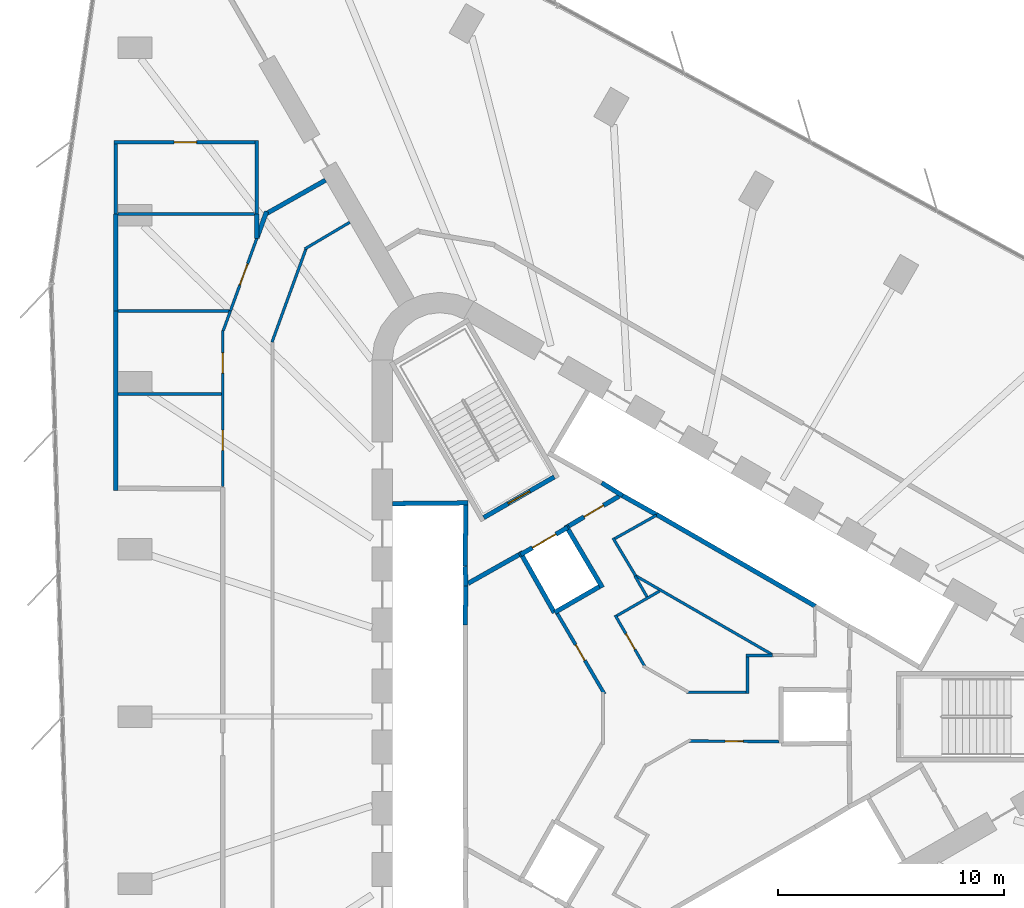
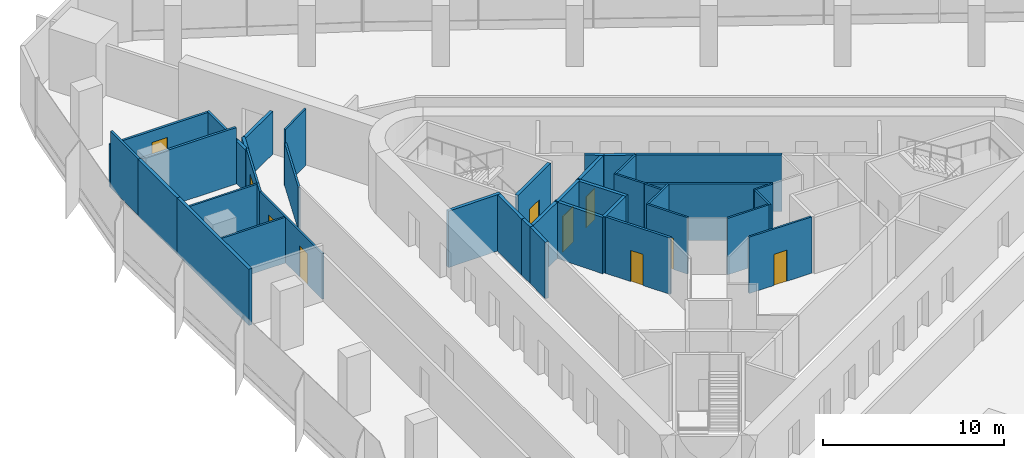
# One storey, part 10 of 14: 41 walls, 10 doors, 10 openings.
"""IFC4 building model written with IfcOpenShell, lengths in metres."""

from ifc_helpers import new_model, si_unit, direction, frame, frame_2d, origin, place, context, subcontext, project, spatial, rectangle, extrude, material, layer, layer_set, type_object, element, fill, save


model = new_model("IFC4")

# Units and contexts
model_context = context("Model", 3, precision=1e-05, world=origin(), true_north=direction((0.0, 1.0)))
body_context = subcontext(model_context, "Body", "Model", "MODEL_VIEW")
ifc_project = project(units=[si_unit("LENGTHUNIT", "METRE"), si_unit("AREAUNIT", "SQUARE_METRE"), si_unit("VOLUMEUNIT", "CUBIC_METRE"), si_unit("PLANEANGLEUNIT", "RADIAN"), si_unit("MASSUNIT", "GRAM", prefix="KILO")], contexts=[model_context])

# Site, building, storey
site_placement = place(None, origin())
site = spatial("IfcSite", under=ifc_project, at=site_placement, CompositionType="ELEMENT")
building_placement = place(site_placement, origin())
building = spatial("IfcBuilding", under=site, at=building_placement, Name="Tanit Gate Tower", CompositionType="ELEMENT")
storey_placement = place(building_placement, frame((0.0, 0.0, 143.89990234375)))
storey = spatial("IfcBuildingStorey", under=building, at=storey_placement, Name="L31", CompositionType="ELEMENT", Elevation=143.89990234375)

# Wall
ifc_material_1 = material(Name="Fire-rated gypsum board partition")
ifc_layer_1 = layer(ifc_material_1, 0.199951171875)
ifc_layer_set_1 = layer_set([ifc_layer_1], Name="INT-WALL-COMPARTMENT")
wall_type_1 = type_object("IfcWallType", Name="INT-WALL-COMPARTMENT", PredefinedType="PARTITIONING", material=ifc_layer_set_1)
wall_1_placement = place(storey_placement, frame((-5.600341796875, 7.16015625, 0.0), z_axis=(0.0, 0.0, 1.0), x_axis=(-0.871340486379, -0.490678873396, 0.0)))
element("IfcWall", 1, at=wall_1_placement, inside=storey, type_object=wall_type_1, Name="Wall Compartment W061", PredefinedType="PARTITIONING", context=body_context, shape_type="SweptSolid", body=[
    extrude(rectangle(XDim=2.580810546875, YDim=0.199951171875, at=frame_2d((1.29052734375, 0.0))), origin(), (0.0, 0.0, 1.0), 3.800048828125),
])

# Wall, opening, door
wall_2_placement = place(storey_placement, frame((-1.179443359375, 9.74462890625, 0.0), z_axis=(0.0, 0.0, 1.0), x_axis=(-0.860598681535, -0.509283721849, 0.0)))
wall_2 = element("IfcWall", 2, at=wall_2_placement, inside=storey, type_object=wall_type_1, Name="Wall Compartment W062", PredefinedType="PARTITIONING", context=body_context, shape_type="SweptSolid", body=[
    extrude(rectangle(XDim=2.5810546875, YDim=0.199951171875, at=frame_2d((1.29052734375, 0.0))), origin(), (0.0, 0.0, 1.0), 3.800048828125),
])
opening_1_placement = place(wall_2_placement, frame((0.79052734375, 0.0, 0.0)))
opening_1 = element("IfcOpeningElement", 3, at=opening_1_placement, cuts=wall_2, Name="Opening F10-S08-05", PredefinedType="OPENING", context=body_context, shape_type="SweptSolid", body=[
    extrude(rectangle(XDim=1.0, YDim=2.10009765625, at=frame_2d((0.5, 1.050048828125))), frame((0.0, 0.10986328125, 0.0), z_axis=(0.0, -1.0, 0.0), x_axis=(1.0, 0.0, 0.0)), (0.0, 0.0, 1.0), 0.219970703125),
])
ifc_material_2 = material(Name="Fire-rated steel door leaf", Category="steel")
door_type_1 = type_object("IfcDoorType", Name="INT-DOOR-FIRE-1000", OperationType="NOTDEFINED", PredefinedType="USERDEFINED", material=ifc_material_2)
door_1_placement = place(opening_1_placement, origin())
door_1 = element("IfcDoor", 4, at=door_1_placement, inside=storey, type_object=door_type_1, Name="Door F10-S08-05", ObjectType="FIRE DOOR", OperationType="SINGLE_SWING_LEFT", OverallHeight=2.10009765625, OverallWidth=1.0, PredefinedType="USERDEFINED", context=body_context, shape_type="SweptSolid", body=[
    extrude(rectangle(XDim=1.0, YDim=2.10009765625, at=frame_2d((0.5, 1.050048828125))), frame((0.0, 0.02490234375, 0.0), z_axis=(0.0, -1.0, 0.0), x_axis=(1.0, 0.0, 0.0)), (0.0, 0.0, 1.0), 0.050048828125),
])
fill(opening_1, door_1)

# Walls
wall_3_placement = place(storey_placement, frame((-16.760498046875, 22.333251953125, 0.0), z_axis=(0.0, 0.0, 1.0), x_axis=(-0.342041387985, -0.93968488809, 0.0)))
element("IfcWall", 5, at=wall_3_placement, inside=storey, type_object=wall_type_1, Name="Wall Compartment W095", PredefinedType="PARTITIONING", context=body_context, shape_type="SweptSolid", body=[
    extrude(rectangle(XDim=1.248291015625, YDim=0.199951171875, at=frame_2d((0.6240234375, 0.0))), origin(), (0.0, 0.0, 1.0), 2.880126953125),
])
wall_4_placement = place(storey_placement, frame((-14.15625, 23.719482421875, 0.0), z_axis=(0.0, 0.0, 1.0), x_axis=(-0.870320915518, -0.492485029226, 0.0)))
element("IfcWall", 6, at=wall_4_placement, inside=storey, type_object=wall_type_1, Name="Wall Compartment W096", PredefinedType="PARTITIONING", context=body_context, shape_type="SweptSolid", body=[
    extrude(rectangle(XDim=2.98974609375, YDim=0.199951171875, at=frame_2d((1.494873046875, 0.0))), origin(), (0.0, 0.0, 1.0), 2.880126953125),
])
wall_5_placement = place(storey_placement, frame((-23.429931640625, 10.0, 0.0), z_axis=(0.0, 0.0, 1.0), x_axis=(0.0, 1.0, 0.0)))
element("IfcWall", 7, at=wall_5_placement, inside=storey, type_object=wall_type_1, Name="Wall Compartment W120", PredefinedType="PARTITIONING", context=body_context, shape_type="SweptSolid", body=[
    extrude(rectangle(XDim=7.931884765625, YDim=0.199951171875, at=frame_2d((3.9658203125, 0.0))), origin(), (0.0, 0.0, 1.0), 3.800048828125),
])
wall_6_placement = place(storey_placement, frame((-23.429931640625, 17.931884765625, 0.0), z_axis=(0.0, 0.0, 1.0), x_axis=(0.0, 1.0, 0.0)))
element("IfcWall", 8, at=wall_6_placement, inside=storey, type_object=wall_type_1, Name="Wall Compartment W123", PredefinedType="PARTITIONING", context=body_context, shape_type="SweptSolid", body=[
    extrude(rectangle(XDim=4.28466796875, YDim=0.199951171875, at=frame_2d((2.142333984375, 0.0))), origin(), (0.0, 0.0, 1.0), 3.800048828125),
])
wall_7_placement = place(storey_placement, frame((-17.199951171875, 21.141357421875, 0.0), z_axis=(0.0, 0.0, 1.0), x_axis=(0.0, 1.0, 0.0)))
element("IfcWall", 9, at=wall_7_placement, inside=storey, type_object=wall_type_1, Name="Wall Compartment W124", PredefinedType="PARTITIONING", context=body_context, shape_type="SweptSolid", body=[
    extrude(rectangle(XDim=1.0751953125, YDim=0.199951171875, at=frame_2d((0.53759765625, 0.0))), origin(), (0.0, 0.0, 1.0), 2.880126953125),
])

# Wall, opening, door
ifc_material_3 = material(Name="Gypsum board partition")
ifc_layer_2 = layer(ifc_material_3, 0.1201171875)
ifc_layer_set_2 = layer_set([ifc_layer_2], Name="INT-WALL-PARTITION")
wall_type_2 = type_object("IfcWallType", Name="INT-WALL-PARTITION", PredefinedType="PARTITIONING", material=ifc_layer_set_2)
wall_8_placement = place(storey_placement, frame((5.89990234375, -1.103759765625, 0.0), z_axis=(0.0, 0.0, 1.0), x_axis=(-0.999974192295, 0.007184340221, 0.0)))
wall_8 = element("IfcWall", 10, at=wall_8_placement, inside=storey, type_object=wall_type_2, Name="Wall Partition W073", PredefinedType="PARTITIONING", context=body_context, shape_type="SweptSolid", body=[
    extrude(rectangle(XDim=3.975830078125, YDim=0.1201171875, at=frame_2d((1.98779296875, 0.0))), origin(), (0.0, 0.0, 1.0), 3.800048828125),
])
opening_2_placement = place(wall_8_placement, frame((1.587890625, 0.0, 0.0)))
opening_2 = element("IfcOpeningElement", 11, at=opening_2_placement, cuts=wall_8, Name="Opening R08-S08-11", PredefinedType="OPENING", context=body_context, shape_type="SweptSolid", body=[
    extrude(rectangle(XDim=0.800048828125, YDim=2.10009765625, at=frame_2d((0.39990234375, 1.050048828125))), frame((0.0, 0.070068359375, 0.0), z_axis=(0.0, -1.0, 0.0), x_axis=(1.0, 0.0, 0.0)), (0.0, 0.0, 1.0), 0.14013671875),
])
ifc_material_4 = material(Name="Timber door leaf", Category="wood")
door_type_2 = type_object("IfcDoorType", Name="INT-DOOR-RISER-800", OperationType="NOTDEFINED", PredefinedType="USERDEFINED", material=ifc_material_4)
door_2_placement = place(opening_2_placement, origin())
door_2 = element("IfcDoor", 12, at=door_2_placement, inside=storey, type_object=door_type_2, Name="Door R08-S08-11", ObjectType="FIRE DOOR", OperationType="SINGLE_SWING_RIGHT", OverallHeight=2.10009765625, OverallWidth=0.800048828125, PredefinedType="USERDEFINED", context=body_context, shape_type="SweptSolid", body=[
    extrude(rectangle(XDim=0.800048828125, YDim=2.10009765625, at=frame_2d((0.39990234375, 1.050048828125))), frame((0.0, 0.02490234375, 0.0), z_axis=(0.0, -1.0, 0.0), x_axis=(1.0, 0.0, 0.0)), (0.0, 0.0, 1.0), 0.050048828125),
])
fill(opening_2, door_2)

# Walls
wall_9_placement = place(storey_placement, frame((-0.497802734375, 6.262451171875, 0.0), z_axis=(0.0, 0.0, 1.0), x_axis=(0.866016105569, -0.500016104636, 0.0)))
element("IfcWall", 13, at=wall_9_placement, inside=storey, type_object=wall_type_2, Name="Wall Partition W074", PredefinedType="PARTITIONING", context=body_context, shape_type="SweptSolid", body=[
    extrude(rectangle(XDim=7.124755859375, YDim=0.1201171875, at=frame_2d((3.5625, 0.0))), origin(), (0.0, 0.0, 1.0), 3.800048828125),
])
wall_10_placement = place(storey_placement, frame((-1.442626953125, 7.896728515625, 0.0), z_axis=(0.0, 0.0, 1.0), x_axis=(0.51333134022, -0.8581905005, 0.0)))
element("IfcWall", 14, at=wall_10_placement, inside=storey, type_object=wall_type_2, Name="Wall Partition W075", PredefinedType="PARTITIONING", context=body_context, shape_type="SweptSolid", body=[
    extrude(rectangle(XDim=1.943359375, YDim=0.1201171875, at=frame_2d((0.9716796875, 0.0))), origin(), (0.0, 0.0, 1.0), 3.800048828125),
])
wall_11_placement = place(storey_placement, frame((0.475341796875, 8.9052734375, 0.0), z_axis=(0.0, 0.0, 1.0), x_axis=(-0.871832572129, -0.489804007921, 0.0)))
element("IfcWall", 15, at=wall_11_placement, inside=storey, type_object=wall_type_2, Name="Wall Partition W076", PredefinedType="PARTITIONING", context=body_context, shape_type="SweptSolid", body=[
    extrude(rectangle(XDim=2.1044921875, YDim=0.1201171875, at=frame_2d((1.05224609375, 0.0))), origin(), (0.0, 0.0, 1.0), 3.800048828125),
])
wall_12_placement = place(storey_placement, frame((4.43994140625, 2.699951171875, 0.0), z_axis=(0.0, 0.0, 1.0), x_axis=(1.0, 0.0, 0.0)))
element("IfcWall", 16, at=wall_12_placement, inside=storey, type_object=wall_type_2, Name="Wall Partition W079", PredefinedType="PARTITIONING", context=body_context, shape_type="SweptSolid", body=[
    extrude(rectangle(XDim=1.1767578125, YDim=0.1201171875, at=frame_2d((0.58837890625, 0.0))), origin(), (0.0, 0.0, 1.0), 3.800048828125),
])
wall_13_placement = place(storey_placement, frame((4.5, 1.014892578125, 0.0), z_axis=(0.0, 0.0, 1.0), x_axis=(0.0, 1.0, 0.0)))
element("IfcWall", 17, at=wall_13_placement, inside=storey, type_object=wall_type_2, Name="Wall Partition W080", PredefinedType="PARTITIONING", context=body_context, shape_type="SweptSolid", body=[
    extrude(rectangle(XDim=1.625, YDim=0.1201171875, at=frame_2d((0.8125, 0.0))), origin(), (0.0, 0.0, 1.0), 3.800048828125),
])
wall_14_placement = place(storey_placement, frame((1.80126953125, 1.074951171875, 0.0), z_axis=(0.0, 0.0, 1.0), x_axis=(1.0, 0.0, 0.0)))
element("IfcWall", 18, at=wall_14_placement, inside=storey, type_object=wall_type_2, Name="Wall Partition W081", PredefinedType="PARTITIONING", context=body_context, shape_type="SweptSolid", body=[
    extrude(rectangle(XDim=2.638671875, YDim=0.1201171875, at=frame_2d((1.3193359375, 0.0))), origin(), (0.0, 0.0, 1.0), 3.800048828125),
])

# Wall, opening, door
wall_15_placement = place(storey_placement, frame((-1.34912109375, 4.486572265625, 0.0), z_axis=(0.0, 0.0, 1.0), x_axis=(0.500013727357, -0.866017478146, 0.0)))
wall_15 = element("IfcWall", 19, at=wall_15_placement, inside=storey, type_object=wall_type_2, Name="Wall Partition W083", PredefinedType="PARTITIONING", context=body_context, shape_type="SweptSolid", body=[
    extrude(rectangle(XDim=2.63623046875, YDim=0.1201171875, at=frame_2d((1.318115234375, 0.0))), origin(), (0.0, 0.0, 1.0), 3.800048828125),
])
opening_3_placement = place(wall_15_placement, frame((0.947998046875, 0.0, 0.0)))
opening_3 = element("IfcOpeningElement", 20, at=opening_3_placement, cuts=wall_15, Name="Opening R08-S08-13", PredefinedType="OPENING", context=body_context, shape_type="SweptSolid", body=[
    extrude(rectangle(XDim=0.800048828125, YDim=2.10009765625, at=frame_2d((0.39990234375, 1.050048828125))), frame((0.0, 0.070068359375, 0.0), z_axis=(0.0, -1.0, 0.0), x_axis=(1.0, 0.0, 0.0)), (0.0, 0.0, 1.0), 0.14013671875),
])
door_3_placement = place(opening_3_placement, origin())
door_3 = element("IfcDoor", 21, at=door_3_placement, inside=storey, type_object=door_type_2, Name="Door R08-S08-13", ObjectType="FIRE DOOR", OperationType="SINGLE_SWING_RIGHT", OverallHeight=2.10009765625, OverallWidth=0.800048828125, PredefinedType="USERDEFINED", context=body_context, shape_type="SweptSolid", body=[
    extrude(rectangle(XDim=0.800048828125, YDim=2.10009765625, at=frame_2d((0.39990234375, 1.050048828125))), frame((0.0, 0.02490234375, 0.0), z_axis=(0.0, -1.0, 0.0), x_axis=(1.0, 0.0, 0.0)), (0.0, 0.0, 1.0), 0.050048828125),
])
fill(opening_3, door_3)

# Walls
wall_16_placement = place(storey_placement, frame((0.614501953125, 5.551025390625, 0.0), z_axis=(0.0, 0.0, 1.0), x_axis=(-0.866007815276, -0.500030462953, 0.0)))
element("IfcWall", 22, at=wall_16_placement, inside=storey, type_object=wall_type_2, Name="Wall Partition W084", PredefinedType="PARTITIONING", context=body_context, shape_type="SweptSolid", body=[
    extrude(rectangle(XDim=2.172607421875, YDim=0.1201171875, at=frame_2d((1.08642578125, 0.0))), origin(), (0.0, 0.0, 1.0), 3.800048828125),
])
wall_17_placement = place(storey_placement, frame((-0.469970703125, 6.214111328125, 0.0), z_axis=(0.0, 0.0, 1.0), x_axis=(0.500015802937, -0.866016279763, 0.0)))
element("IfcWall", 23, at=wall_17_placement, inside=storey, type_object=wall_type_2, Name="Wall Partition W085", PredefinedType="PARTITIONING", context=body_context, shape_type="SweptSolid", body=[
    extrude(rectangle(XDim=1.056640625, YDim=0.1201171875, at=frame_2d((0.5283203125, 0.0))), origin(), (0.0, 0.0, 1.0), 3.800048828125),
])
wall_18_placement = place(storey_placement, frame((-13.082275390625, 21.859130859375, 0.0), z_axis=(0.0, 0.0, 1.0), x_axis=(-0.860286384661, -0.509811079095, 0.0)))
element("IfcWall", 24, at=wall_18_placement, inside=storey, type_object=wall_type_2, Name="Wall Partition W086", PredefinedType="PARTITIONING", context=body_context, shape_type="SweptSolid", body=[
    extrude(rectangle(XDim=2.310546875, YDim=0.1201171875, at=frame_2d((1.1552734375, 0.0))), origin(), (0.0, 0.0, 1.0), 3.800048828125),
])
wall_19_placement = place(storey_placement, frame((-15.0166015625, 20.6923828125, 0.0), z_axis=(0.0, 0.0, 1.0), x_axis=(-0.342028368186, -0.939689627141, 0.0)))
element("IfcWall", 25, at=wall_19_placement, inside=storey, type_object=wall_type_2, Name="Wall Partition W087", PredefinedType="PARTITIONING", context=body_context, shape_type="SweptSolid", body=[
    extrude(rectangle(XDim=4.39697265625, YDim=0.1201171875, at=frame_2d((2.198486328125, 0.0))), origin(), (0.0, 0.0, 1.0), 2.880126953125),
])

# Wall, openings, doors
wall_20_placement = place(storey_placement, frame((-18.699951171875, 17.064697265625, 0.0), z_axis=(0.0, 0.0, 1.0), x_axis=(0.0, -1.0, 0.0)))
wall_20 = element("IfcWall", 26, at=wall_20_placement, inside=storey, type_object=wall_type_2, Name="Wall Partition W098", PredefinedType="PARTITIONING", context=body_context, shape_type="SweptSolid", body=[
    extrude(rectangle(XDim=6.894775390625, YDim=0.1201171875, at=frame_2d((3.447265625, 0.0))), origin(), (0.0, 0.0, 1.0), 3.080078125),
])
opening_4_placement = place(wall_20_placement, frame((4.39599609375, 0.0, 0.0)))
opening_4 = element("IfcOpeningElement", 27, at=opening_4_placement, cuts=wall_20, Name="Opening D09-S08-16", PredefinedType="OPENING", context=body_context, shape_type="SweptSolid", body=[
    extrude(rectangle(XDim=0.89990234375, YDim=2.10009765625, at=frame_2d((0.449951171875, 1.050048828125))), frame((0.0, 0.070068359375, 0.0), z_axis=(0.0, -1.0, 0.0), x_axis=(1.0, 0.0, 0.0)), (0.0, 0.0, 1.0), 0.14013671875),
])
opening_5_placement = place(wall_20_placement, frame((0.978759765625, 0.0, 0.0)))
opening_5 = element("IfcOpeningElement", 28, at=opening_5_placement, cuts=wall_20, Name="Opening D09-S08-17", PredefinedType="OPENING", context=body_context, shape_type="SweptSolid", body=[
    extrude(rectangle(XDim=0.89990234375, YDim=2.10009765625, at=frame_2d((0.449951171875, 1.050048828125))), frame((0.0, 0.070068359375, 0.0), z_axis=(0.0, -1.0, 0.0), x_axis=(1.0, 0.0, 0.0)), (0.0, 0.0, 1.0), 0.14013671875),
])
ifc_material_5 = material(Name="Timber door leaf", Category="wood")
door_type_3 = type_object("IfcDoorType", Name="INT-DOOR-SINGLE-900", OperationType="NOTDEFINED", PredefinedType="NOTDEFINED", material=ifc_material_5)
door_4_placement = place(opening_4_placement, origin())
door_4 = element("IfcDoor", 29, at=door_4_placement, inside=storey, type_object=door_type_3, Name="Door D09-S08-16", OperationType="SINGLE_SWING_LEFT", OverallHeight=2.10009765625, OverallWidth=0.89990234375, PredefinedType="NOTDEFINED", context=body_context, shape_type="SweptSolid", body=[
    extrude(rectangle(XDim=0.89990234375, YDim=2.10009765625, at=frame_2d((0.449951171875, 1.050048828125))), frame((0.0, 0.02490234375, 0.0), z_axis=(0.0, -1.0, 0.0), x_axis=(1.0, 0.0, 0.0)), (0.0, 0.0, 1.0), 0.050048828125),
])
fill(opening_4, door_4)
door_5_placement = place(opening_5_placement, origin())
door_5 = element("IfcDoor", 30, at=door_5_placement, inside=storey, type_object=door_type_3, Name="Door D09-S08-17", OperationType="SINGLE_SWING_LEFT", OverallHeight=2.10009765625, OverallWidth=0.89990234375, PredefinedType="NOTDEFINED", context=body_context, shape_type="SweptSolid", body=[
    extrude(rectangle(XDim=0.89990234375, YDim=2.10009765625, at=frame_2d((0.449951171875, 1.050048828125))), frame((0.0, 0.02490234375, 0.0), z_axis=(0.0, -1.0, 0.0), x_axis=(1.0, 0.0, 0.0)), (0.0, 0.0, 1.0), 0.050048828125),
])
fill(opening_5, door_5)

# Wall, opening, door
wall_21_placement = place(storey_placement, frame((-17.1875, 21.16015625, 0.0), z_axis=(0.0, 0.0, 1.0), x_axis=(-0.342046352126, -0.939683081149, 0.0)))
wall_21 = element("IfcWall", 31, at=wall_21_placement, inside=storey, type_object=wall_type_2, Name="Wall Partition W100", PredefinedType="PARTITIONING", context=body_context, shape_type="SweptSolid", body=[
    extrude(rectangle(XDim=3.42529296875, YDim=0.1201171875, at=frame_2d((1.712646484375, 0.0))), origin(), (0.0, 0.0, 1.0), 2.97998046875),
])
opening_6_placement = place(wall_21_placement, frame((1.212646484375, 0.0, 0.0)))
opening_6 = element("IfcOpeningElement", 32, at=opening_6_placement, cuts=wall_21, Name="Opening D10-S08-18", PredefinedType="OPENING", context=body_context, shape_type="SweptSolid", body=[
    extrude(rectangle(XDim=1.0, YDim=2.10009765625, at=frame_2d((0.5, 1.050048828125))), frame((0.0, 0.070068359375, 0.0), z_axis=(0.0, -1.0, 0.0), x_axis=(1.0, 0.0, 0.0)), (0.0, 0.0, 1.0), 0.14013671875),
])
ifc_material_6 = material(Name="Timber door leaf", Category="wood")
door_type_4 = type_object("IfcDoorType", Name="INT-DOOR-SINGLE-1000", OperationType="NOTDEFINED", PredefinedType="NOTDEFINED", material=ifc_material_6)
door_6_placement = place(opening_6_placement, origin())
door_6 = element("IfcDoor", 33, at=door_6_placement, inside=storey, type_object=door_type_4, Name="Door D10-S08-18", OperationType="SINGLE_SWING_RIGHT", OverallHeight=2.10009765625, OverallWidth=1.0, PredefinedType="NOTDEFINED", context=body_context, shape_type="SweptSolid", body=[
    extrude(rectangle(XDim=1.0, YDim=2.10009765625, at=frame_2d((0.5, 1.050048828125))), frame((0.0, 0.02490234375, 0.0), z_axis=(0.0, -1.0, 0.0), x_axis=(1.0, 0.0, 0.0)), (0.0, 0.0, 1.0), 0.050048828125),
])
fill(opening_6, door_6)

# Walls
wall_22_placement = place(storey_placement, frame((-18.359130859375, 17.94140625, 0.0), z_axis=(0.0, 0.0, 1.0), x_axis=(-0.341910451958, -0.939732537929, 0.0)))
element("IfcWall", 34, at=wall_22_placement, inside=storey, type_object=wall_type_2, Name="Wall Partition W099", PredefinedType="PARTITIONING", context=body_context, shape_type="SweptSolid", body=[
    extrude(rectangle(XDim=0.936767578125, YDim=0.1201171875, at=frame_2d((0.46826171875, 0.0))), origin(), (0.0, 0.0, 1.0), 2.97998046875),
])
wall_23_placement = place(storey_placement, frame((-18.760009765625, 14.267333984375, 0.0), z_axis=(0.0, 0.0, 1.0), x_axis=(-1.0, 0.0, 0.0)))
element("IfcWall", 35, at=wall_23_placement, inside=storey, type_object=wall_type_2, Name="Wall Partition W137", PredefinedType="PARTITIONING", context=body_context, shape_type="SweptSolid", body=[
    extrude(rectangle(XDim=4.570068359375, YDim=0.1201171875, at=frame_2d((2.28515625, 0.0))), origin(), (0.0, 0.0, 1.0), 3.080078125),
])
wall_24_placement = place(storey_placement, frame((-23.330078125, 17.931884765625, 0.0), z_axis=(0.0, 0.0, 1.0), x_axis=(1.0, 0.0, 0.0)))
element("IfcWall", 36, at=wall_24_placement, inside=storey, type_object=wall_type_2, Name="Wall Partition W138", PredefinedType="PARTITIONING", context=body_context, shape_type="SweptSolid", body=[
    extrude(rectangle(XDim=4.90380859375, YDim=0.1201171875, at=frame_2d((2.451904296875, 0.0))), origin(), (0.0, 0.0, 1.0), 2.97998046875),
])

# Wall, opening, door
ifc_material_7 = material(Name="Fire-rated gypsum board partition")
ifc_layer_3 = layer(ifc_material_7, 0.14990234375)
ifc_layer_set_3 = layer_set([ifc_layer_3], Name="INT-WALL-RISER")
wall_type_3 = type_object("IfcWallType", Name="INT-WALL-RISER", PredefinedType="PLUMBINGWALL", material=ifc_layer_set_3)
wall_25_placement = place(storey_placement, frame((-1.81884765625, 1.002197265625, 0.0), z_axis=(0.0, 0.0, 1.0), x_axis=(-0.506251313942, 0.8623859966, 0.0)))
wall_25 = element("IfcWall", 37, at=wall_25_placement, inside=storey, type_object=wall_type_3, Name="Wall Riser W065", PredefinedType="PLUMBINGWALL", context=body_context, shape_type="SweptSolid", body=[
    extrude(rectangle(XDim=4.122802734375, YDim=0.14990234375, at=frame_2d((2.0615234375, 0.0))), origin(), (0.0, 0.0, 1.0), 3.800048828125),
])
opening_7_placement = place(wall_25_placement, frame((1.72509765625, 0.0, 0.0)))
opening_7 = element("IfcOpeningElement", 38, at=opening_7_placement, cuts=wall_25, Name="Opening R08-S08-10", PredefinedType="OPENING", context=body_context, shape_type="SweptSolid", body=[
    extrude(rectangle(XDim=0.800048828125, YDim=2.10009765625, at=frame_2d((0.39990234375, 1.050048828125))), frame((0.0, 0.0849609375, 0.0), z_axis=(0.0, -1.0, 0.0), x_axis=(1.0, 0.0, 0.0)), (0.0, 0.0, 1.0), 0.169921875),
])
door_7_placement = place(opening_7_placement, origin())
door_7 = element("IfcDoor", 39, at=door_7_placement, inside=storey, type_object=door_type_2, Name="Door R08-S08-10", ObjectType="FIRE DOOR", OperationType="SINGLE_SWING_RIGHT", OverallHeight=2.10009765625, OverallWidth=0.800048828125, PredefinedType="USERDEFINED", context=body_context, shape_type="SweptSolid", body=[
    extrude(rectangle(XDim=0.800048828125, YDim=2.10009765625, at=frame_2d((0.39990234375, 1.050048828125))), frame((0.0, 0.02490234375, 0.0), z_axis=(0.0, -1.0, 0.0), x_axis=(1.0, 0.0, 0.0)), (0.0, 0.0, 1.0), 0.050048828125),
])
fill(opening_7, door_7)

# Wall
wall_26_placement = place(storey_placement, frame((-17.199951171875, 22.216552734375, 0.0), z_axis=(0.0, 0.0, 1.0), x_axis=(0.0, 1.0, 0.0)))
element("IfcWall", 40, at=wall_26_placement, inside=storey, type_object=wall_type_3, Name="Wall Riser W125", PredefinedType="PLUMBINGWALL", context=body_context, shape_type="SweptSolid", body=[
    extrude(rectangle(XDim=3.258544921875, YDim=0.14990234375, at=frame_2d((1.62939453125, 0.0))), origin(), (0.0, 0.0, 1.0), 2.880126953125),
])

# Wall, opening, door
wall_27_placement = place(storey_placement, frame((-17.27490234375, 25.39990234375, 0.0), z_axis=(0.0, 0.0, 1.0), x_axis=(-1.0, 0.0, 0.0)))
wall_27 = element("IfcWall", 41, at=wall_27_placement, inside=storey, type_object=wall_type_3, Name="Wall Riser W126", PredefinedType="PLUMBINGWALL", context=body_context, shape_type="SweptSolid", body=[
    extrude(rectangle(XDim=6.22998046875, YDim=0.14990234375, at=frame_2d((3.114990234375, 0.0))), origin(), (0.0, 0.0, 1.0), 2.880126953125),
])
opening_8_placement = place(wall_27_placement, frame((2.577392578125, 0.0, 0.0)))
opening_8 = element("IfcOpeningElement", 42, at=opening_8_placement, cuts=wall_27, Name="Opening F10-S08-19", PredefinedType="OPENING", context=body_context, shape_type="SweptSolid", body=[
    extrude(rectangle(XDim=1.0, YDim=2.10009765625, at=frame_2d((0.5, 1.050048828125))), frame((0.0, 0.0849609375, 0.0), z_axis=(0.0, -1.0, 0.0), x_axis=(1.0, 0.0, 0.0)), (0.0, 0.0, 1.0), 0.169921875),
])
door_8_placement = place(opening_8_placement, origin())
door_8 = element("IfcDoor", 43, at=door_8_placement, inside=storey, type_object=door_type_1, Name="Door F10-S08-19", ObjectType="FIRE DOOR", OperationType="SINGLE_SWING_LEFT", OverallHeight=2.10009765625, OverallWidth=1.0, PredefinedType="USERDEFINED", context=body_context, shape_type="SweptSolid", body=[
    extrude(rectangle(XDim=1.0, YDim=2.10009765625, at=frame_2d((0.5, 1.050048828125))), frame((0.0, 0.02490234375, 0.0), z_axis=(0.0, -1.0, 0.0), x_axis=(1.0, 0.0, 0.0)), (0.0, 0.0, 1.0), 0.050048828125),
])
fill(opening_8, door_8)

# Walls
wall_28_placement = place(storey_placement, frame((-23.429931640625, 22.216552734375, 0.0), z_axis=(0.0, 0.0, 1.0), x_axis=(0.0, 1.0, 0.0)))
element("IfcWall", 44, at=wall_28_placement, inside=storey, type_object=wall_type_3, Name="Wall Riser W127", PredefinedType="PLUMBINGWALL", context=body_context, shape_type="SweptSolid", body=[
    extrude(rectangle(XDim=3.1083984375, YDim=0.14990234375, at=frame_2d((1.55419921875, 0.0))), origin(), (0.0, 0.0, 1.0), 3.800048828125),
])
wall_29_placement = place(storey_placement, frame((-17.300048828125, 22.22412109375, 0.0), z_axis=(0.0, 0.0, 1.0), x_axis=(-1.0, 0.0, 0.0)))
element("IfcWall", 45, at=wall_29_placement, inside=storey, type_object=wall_type_3, Name="Wall Riser W139", PredefinedType="PLUMBINGWALL", context=body_context, shape_type="SweptSolid", body=[
    extrude(rectangle(XDim=6.030029296875, YDim=0.14990234375, at=frame_2d((3.01513671875, 0.0))), origin(), (0.0, 0.0, 1.0), 3.800048828125),
])
ifc_material_8 = material(Name="Gypsum shaft wall system")
ifc_layer_4 = layer(ifc_material_8, 0.199951171875)
ifc_layer_set_4 = layer_set([ifc_layer_4], Name="INT-WALL-SHAFT")
wall_type_4 = type_object("IfcWallType", Name="INT-WALL-SHAFT", PredefinedType="PLUMBINGWALL", material=ifc_layer_set_4)
wall_30_placement = place(storey_placement, frame((-11.199951171875, 9.419921875, 0.0), z_axis=(0.0, 0.0, 1.0), x_axis=(0.999957167047, 0.009255488683, 0.0)))
element("IfcWall", 46, at=wall_30_placement, inside=storey, type_object=wall_type_4, Name="Wall Shaft W001", PredefinedType="PLUMBINGWALL", context=body_context, shape_type="SweptSolid", body=[
    extrude(rectangle(XDim=3.35009765625, YDim=0.199951171875, at=frame_2d((1.675048828125, 0.0))), origin(), (0.0, 0.0, 1.0), 3.800048828125),
])
wall_31_placement = place(storey_placement, frame((-7.951171875, 9.35009765625, 0.0), z_axis=(0.0, 0.0, 1.0), x_axis=(-0.011120469654, -0.999938165666, 0.0)))
element("IfcWall", 47, at=wall_31_placement, inside=storey, type_object=wall_type_4, Name="Wall Shaft W002", PredefinedType="PLUMBINGWALL", context=body_context, shape_type="SweptSolid", body=[
    extrude(rectangle(XDim=2.700439453125, YDim=0.199951171875, at=frame_2d((1.35009765625, 0.0))), origin(), (0.0, 0.0, 1.0), 3.800048828125),
])
wall_32_placement = place(storey_placement, frame((7.497314453125, 4.885986328125, 0.0), z_axis=(0.0, 0.0, 1.0), x_axis=(-0.866030989016, 0.499990325971, 0.0)))
element("IfcWall", 48, at=wall_32_placement, inside=storey, type_object=wall_type_4, Name="Wall Shaft W003", PredefinedType="PLUMBINGWALL", context=body_context, shape_type="SweptSolid", body=[
    extrude(rectangle(XDim=8.099853515625, YDim=0.199951171875, at=frame_2d((4.0498046875, 0.0))), origin(), (0.0, 0.0, 1.0), 3.800048828125),
])
wall_33_placement = place(storey_placement, frame((-7.97705078125, 6.650146484375, 0.0), z_axis=(0.0, 0.0, 1.0), x_axis=(0.030861509705, -0.999523670164, 0.0)))
element("IfcWall", 49, at=wall_33_placement, inside=storey, type_object=wall_type_4, Name="Wall Shaft W004", PredefinedType="PLUMBINGWALL", context=body_context, shape_type="SweptSolid", body=[
    extrude(rectangle(XDim=0.878173828125, YDim=0.199951171875, at=frame_2d((0.43896484375, 0.0))), origin(), (0.0, 0.0, 1.0), 3.800048828125),
])
wall_34_placement = place(storey_placement, frame((-7.948974609375, 5.894287109375, 0.0), z_axis=(0.0, 0.0, 1.0), x_axis=(-0.016809909365, -0.999858703491, 0.0)))
element("IfcWall", 50, at=wall_34_placement, inside=storey, type_object=wall_type_4, Name="Wall Shaft W005", PredefinedType="PLUMBINGWALL", context=body_context, shape_type="SweptSolid", body=[
    extrude(rectangle(XDim=1.844482421875, YDim=0.199951171875, at=frame_2d((0.92236328125, 0.0))), origin(), (0.0, 0.0, 1.0), 3.800048828125),
])
wall_35_placement = place(storey_placement, frame((-1.940673828125, 10.338623046875, 0.0), z_axis=(0.0, 0.0, 1.0), x_axis=(0.850216889117, -0.526432561171, 0.0)))
element("IfcWall", 51, at=wall_35_placement, inside=storey, type_object=wall_type_4, Name="Wall Shaft W019", PredefinedType="PLUMBINGWALL", context=body_context, shape_type="SweptSolid", body=[
    extrude(rectangle(XDim=1.078369140625, YDim=0.199951171875, at=frame_2d((0.5390625, 0.0))), origin(), (0.0, 0.0, 1.0), 3.800048828125),
])
wall_36_placement = place(storey_placement, frame((0.478271484375, 8.928466796875, 0.0), z_axis=(0.0, 0.0, 1.0), x_axis=(-0.871988740738, 0.489525929882, 0.0)))
element("IfcWall", 52, at=wall_36_placement, inside=storey, type_object=wall_type_4, Name="Wall Shaft W020", PredefinedType="PLUMBINGWALL", context=body_context, shape_type="SweptSolid", body=[
    extrude(rectangle(XDim=1.8447265625, YDim=0.199951171875, at=frame_2d((0.92236328125, 0.0))), origin(), (0.0, 0.0, 1.0), 3.800048828125),
])

# Wall, opening, door
wall_37_placement = place(storey_placement, frame((-5.524169921875, 7.168212890625, 0.0), z_axis=(0.0, 0.0, 1.0), x_axis=(0.866024647952, 0.500001309137, 0.0)))
wall_37 = element("IfcWall", 53, at=wall_37_placement, inside=storey, type_object=wall_type_4, Name="Wall Shaft W045", PredefinedType="PLUMBINGWALL", context=body_context, shape_type="SweptSolid", body=[
    extrude(rectangle(XDim=2.39990234375, YDim=0.199951171875, at=frame_2d((1.199951171875, 0.0))), origin(), (0.0, 0.0, 1.0), 3.800048828125),
])
opening_9_placement = place(wall_37_placement, frame((0.60009765625, 0.0, 0.0)))
opening_9 = element("IfcOpeningElement", 54, at=opening_9_placement, cuts=wall_37, Name="Opening LDFL2-L31", PredefinedType="OPENING", context=body_context, shape_type="SweptSolid", body=[
    extrude(rectangle(XDim=1.199951171875, YDim=2.39990234375, at=frame_2d((0.60009765625, 1.199951171875))), frame((0.0, 0.10986328125, 0.0), z_axis=(0.0, -1.0, 0.0), x_axis=(1.0, 0.0, 0.0)), (0.0, 0.0, 1.0), 0.219970703125),
])
ifc_material_9 = material(Name="Stainless steel sliding door leaf", Category="steel")
door_type_5 = type_object("IfcDoorType", Name="INT-DOOR-LANDING-1200", OperationType="NOTDEFINED", PredefinedType="USERDEFINED", material=ifc_material_9)
door_9_placement = place(opening_9_placement, origin())
door_9 = element("IfcDoor", 55, at=door_9_placement, inside=storey, type_object=door_type_5, Name="Door LDFL2-L31", ObjectType="LANDING DOOR", OperationType="SLIDING_TO_LEFT", OverallHeight=2.39990234375, OverallWidth=1.199951171875, PredefinedType="USERDEFINED", context=body_context, shape_type="SweptSolid", body=[
    extrude(rectangle(XDim=1.199951171875, YDim=2.39990234375, at=frame_2d((0.60009765625, 1.199951171875))), frame((0.0, 0.02490234375, 0.0), z_axis=(0.0, -1.0, 0.0), x_axis=(1.0, 0.0, 0.0)), (0.0, 0.0, 1.0), 0.050048828125),
])
fill(opening_9, door_9)

# Walls
wall_38_placement = place(storey_placement, frame((-4.039306640625, 4.59619140625, 0.0), z_axis=(0.0, 0.0, 1.0), x_axis=(-0.491322718731, 0.870977603649, 0.0)))
element("IfcWall", 56, at=wall_38_placement, inside=storey, type_object=wall_type_4, Name="Wall Shaft W046", PredefinedType="PLUMBINGWALL", context=body_context, shape_type="SweptSolid", body=[
    extrude(rectangle(XDim=3.10009765625, YDim=0.199951171875, at=frame_2d((1.550048828125, 0.0))), origin(), (0.0, 0.0, 1.0), 3.800048828125),
])
wall_39_placement = place(storey_placement, frame((-3.53759765625, 8.46533203125, 0.0), z_axis=(0.0, 0.0, 1.0), x_axis=(0.508616218331, -0.860993346345, 0.0)))
element("IfcWall", 57, at=wall_39_placement, inside=storey, type_object=wall_type_4, Name="Wall Shaft W047", PredefinedType="PLUMBINGWALL", context=body_context, shape_type="SweptSolid", body=[
    extrude(rectangle(XDim=3.2001953125, YDim=0.199951171875, at=frame_2d((1.60009765625, 0.0))), origin(), (0.0, 0.0, 1.0), 3.800048828125),
])
wall_40_placement = place(storey_placement, frame((-2.04736328125, 5.74609375, 0.0), z_axis=(0.0, 0.0, 1.0), x_axis=(-0.866046471269, -0.499963508271, 0.0)))
element("IfcWall", 58, at=wall_40_placement, inside=storey, type_object=wall_type_4, Name="Wall Shaft W048", PredefinedType="PLUMBINGWALL", context=body_context, shape_type="SweptSolid", body=[
    extrude(rectangle(XDim=2.279541015625, YDim=0.199951171875, at=frame_2d((1.1396484375, 0.0))), origin(), (0.0, 0.0, 1.0), 3.800048828125),
])

# Wall, opening, door
ifc_material_10 = material(Name="Concrete C40/50", Category="concrete")
ifc_layer_5 = layer(ifc_material_10, 0.199951171875)
ifc_layer_set_5 = layer_set([ifc_layer_5], Name="INT-WALL-STAIR")
wall_type_5 = type_object("IfcWallType", Name="INT-WALL-STAIR", PredefinedType="SHEAR", material=ifc_layer_set_5)
wall_41_placement = place(storey_placement, frame((-7.158935546875, 8.799560546875, -0.2998046875), z_axis=(0.0, 0.0, 1.0), x_axis=(0.866047807691, 0.499961193289, 0.0)))
wall_41 = element("IfcWall", 59, at=wall_41_placement, inside=storey, type_object=wall_type_5, Name="Wall Stair W044", PredefinedType="SHEAR", context=body_context, shape_type="SweptSolid", body=[
    extrude(rectangle(XDim=3.599853515625, YDim=0.199951171875, at=frame_2d((1.7998046875, 0.0))), origin(), (0.0, 0.0, 1.0), 4.099853515625),
])
opening_10_placement = place(wall_41_placement, frame((1.25, 0.0, 0.300048828125)))
opening_10 = element("IfcOpeningElement", 60, at=opening_10_placement, cuts=wall_41, Name="Opening S11-S08-04", PredefinedType="OPENING", context=body_context, shape_type="SweptSolid", body=[
    extrude(rectangle(XDim=1.10009765625, YDim=2.10009765625, at=frame_2d((0.550048828125, 1.050048828125))), frame((0.0, 0.10986328125, 0.0), z_axis=(0.0, -1.0, 0.0), x_axis=(1.0, 0.0, 0.0)), (0.0, 0.0, 1.0), 0.219970703125),
])
ifc_material_11 = material(Name="Timber door leaf", Category="wood")
door_type_6 = type_object("IfcDoorType", Name="INT-DOOR-STAIR-1100", OperationType="NOTDEFINED", PredefinedType="USERDEFINED", material=ifc_material_11)
door_10_placement = place(opening_10_placement, origin())
door_10 = element("IfcDoor", 61, at=door_10_placement, inside=storey, type_object=door_type_6, Name="Door S11-S08-04", ObjectType="FIRE DOOR", OperationType="SINGLE_SWING_LEFT", OverallHeight=2.10009765625, OverallWidth=1.10009765625, PredefinedType="USERDEFINED", context=body_context, shape_type="SweptSolid", body=[
    extrude(rectangle(XDim=1.10009765625, YDim=2.10009765625, at=frame_2d((0.550048828125, 1.050048828125))), frame((0.0, 0.02490234375, 0.0), z_axis=(0.0, -1.0, 0.0), x_axis=(1.0, 0.0, 0.0)), (0.0, 0.0, 1.0), 0.050048828125),
])
fill(opening_10, door_10)

save(model, "model.ifc")
